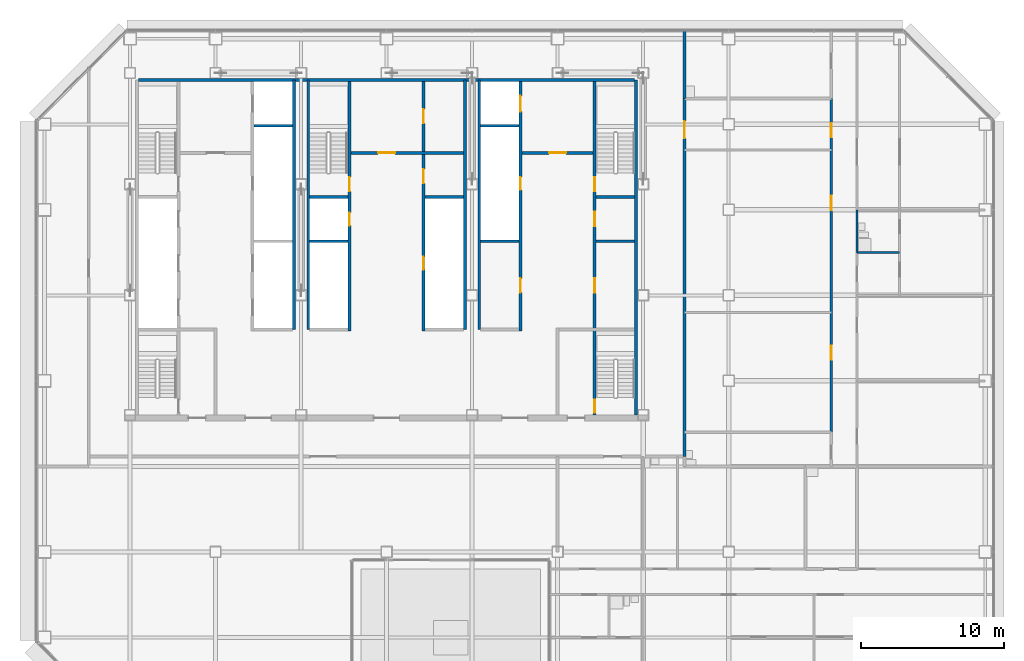
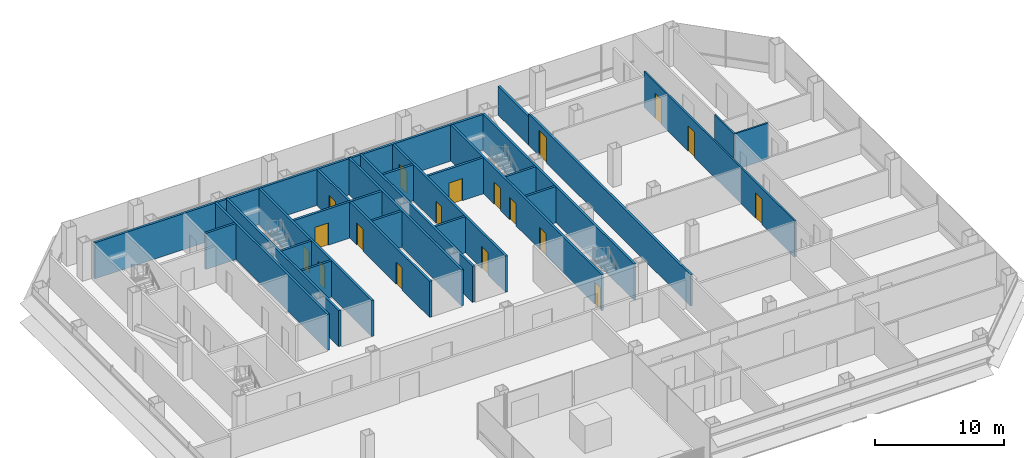
# One storey, part 22 of 27: 25 walls, 18 doors, 18 openings.
"""IFC4 building model written with IfcOpenShell, lengths in metres."""

from ifc_helpers import new_model, si_unit, direction, frame, frame_2d, origin, place, context, subcontext, project, spatial, rectangle, extrude, material, layer, layer_set, type_object, element, fill, save


model = new_model("IFC4")

# Units and contexts
model_context = context("Model", 3, precision=1e-05, world=origin(), true_north=direction((0.0, 1.0)))
body_context = subcontext(model_context, "Body", "Model", "MODEL_VIEW")
ifc_project = project(units=[si_unit("LENGTHUNIT", "METRE"), si_unit("AREAUNIT", "SQUARE_METRE"), si_unit("VOLUMEUNIT", "CUBIC_METRE"), si_unit("PLANEANGLEUNIT", "RADIAN"), si_unit("MASSUNIT", "GRAM", prefix="KILO")], contexts=[model_context])

# Site, building, storey
site_placement = place(None, origin())
site = spatial("IfcSite", under=ifc_project, at=site_placement, CompositionType="ELEMENT")
building_placement = place(site_placement, origin())
building = spatial("IfcBuilding", under=site, at=building_placement, Name="Sorahane Residences", CompositionType="ELEMENT")
storey_placement = place(building_placement, frame((0.0, 0.0, 82.199951171875)))
storey = spatial("IfcBuildingStorey", under=building, at=storey_placement, Name="L17", CompositionType="ELEMENT", Elevation=82.199951171875)

# Walls
ifc_material_1 = material(Name="Concrete C30", Category="concrete")
ifc_layer_1 = layer(ifc_material_1, 0.199951171875)
ifc_layer_set_1 = layer_set([ifc_layer_1], Name="Core face wall 200 EI 180")
wall_type_1 = type_object("IfcWallType", Name="Core face wall 200 EI 180", PredefinedType="SOLIDWALL", material=ifc_layer_set_1)
wall_1_placement = place(storey_placement, frame((41.5, 21.60009765625, 0.0), z_axis=(0.0, 0.0, 1.0), x_axis=(0.0, 1.0, 0.0)))
element("IfcWall", 1, at=wall_1_placement, inside=storey, type_object=wall_type_1, Name="L17 core face wall", PredefinedType="SOLIDWALL", context=body_context, shape_type="SweptSolid", body=[
    extrude(rectangle(XDim=23.5, YDim=0.199951171875, at=frame_2d((11.75, 0.0))), origin(), (0.0, 0.0, 1.0), 3.420166015625),
])
wall_2_placement = place(storey_placement, frame((6.60009765625, 45.10009765625, 0.0), z_axis=(0.0, 0.0, 1.0), x_axis=(1.0, 0.0, 0.0)))
element("IfcWall", 2, at=wall_2_placement, inside=storey, type_object=wall_type_1, Name="L17 core face wall", PredefinedType="SOLIDWALL", context=body_context, shape_type="SweptSolid", body=[
    extrude(rectangle(XDim=34.7998046875, YDim=0.199951171875, at=frame_2d((17.39990234375, 0.0))), origin(), (0.0, 0.0, 1.0), 3.420166015625),
])
for number, where, z_axis, x_axis, name in (
    (3, (17.5, 27.60009765625, 0.0), (0.0, 0.0, 1.0), (0.0, 1.0, 0.0), "L17 core face wall"),
    (4, (18.5, 27.60009765625, 0.0), (0.0, 0.0, 1.0), (0.0, 1.0, 0.0), "L17 core face wall"),
    (5, (29.5, 27.60009765625, 0.0), (0.0, 0.0, 1.0), (0.0, 1.0, 0.0), "L17 core face wall"),
    (6, (30.5, 27.60009765625, 0.0), (0.0, 0.0, 1.0), (0.0, 1.0, 0.0), "L17 core face wall"),
):
    element("IfcWall", number, at=place(storey_placement, frame(where, z_axis=z_axis, x_axis=x_axis)), inside=storey, type_object=wall_type_1, Name=name, PredefinedType="SOLIDWALL", context=body_context, shape_type="SweptSolid", body=[
        extrude(rectangle(XDim=17.5, YDim=0.199951171875, at=frame_2d((8.75, 0.0))), origin(), (0.0, 0.0, 1.0), 3.420166015625),
    ])

# Wall, opening, door
ifc_material_2 = material(Name="Concrete blockwork C20 wall", Category="masonry")
ifc_layer_2 = layer(ifc_material_2, 0.199951171875)
ifc_layer_set_2 = layer_set([ifc_layer_2], Name="Corridor wall 200 EI 120")
wall_type_2 = type_object("IfcWallType", Name="Corridor wall 200 EI 120", PredefinedType="SOLIDWALL", material=ifc_layer_set_2)
wall_3_placement = place(storey_placement, frame((44.89990234375, 18.699951171875, 0.0), z_axis=(0.0, 0.0, 1.0), x_axis=(0.0, 1.0, 0.0)))
wall_3 = element("IfcWall", 7, at=wall_3_placement, inside=storey, type_object=wall_type_2, Name="L17 corridor wall", PredefinedType="SOLIDWALL", context=body_context, shape_type="SweptSolid", body=[
    extrude(rectangle(XDim=25.10009765625, YDim=0.199951171875, at=frame_2d((12.550048828125, 0.0))), origin(), (0.0, 0.0, 1.0), 2.969970703125),
])
opening_1_placement = place(wall_3_placement, frame((22.320068359375, 0.0, 0.0)))
opening_1 = element("IfcOpeningElement", 8, at=opening_1_placement, cuts=wall_3, Name="Opening L17-26", PredefinedType="OPENING", context=body_context, shape_type="SweptSolid", body=[
    extrude(rectangle(XDim=1.199951171875, YDim=2.39990234375, at=frame_2d((0.60009765625, 1.199951171875))), frame((0.0, 0.10986328125, 0.0), z_axis=(0.0, -1.0, 0.0), x_axis=(1.0, 0.0, 0.0)), (0.0, 0.0, 1.0), 0.219970703125),
])
ifc_material_3 = material(Name="Timber veneered fire door", Category="wood")
door_type_1 = type_object("IfcDoorType", Name="Flat entrance door 1200x2400 FD60", OperationType="NOTDEFINED", PredefinedType="DOOR", material=ifc_material_3)
door_1_placement = place(opening_1_placement, frame((1.199951171875, 0.0, 0.0), z_axis=(0.0, 0.0, 1.0), x_axis=(-1.0, 0.0, 0.0)))
door_1 = element("IfcDoor", 9, at=door_1_placement, inside=storey, type_object=door_type_1, Name="Flat entrance door L17-26", OperationType="SINGLE_SWING_RIGHT", OverallHeight=2.39990234375, OverallWidth=1.199951171875, PredefinedType="DOOR", context=body_context, shape_type="SweptSolid", body=[
    extrude(rectangle(XDim=1.199951171875, YDim=2.39990234375, at=frame_2d((0.60009765625, 1.199951171875))), frame((0.0, 0.02490234375, 0.0), z_axis=(0.0, -1.0, 0.0), x_axis=(1.0, 0.0, 0.0)), (0.0, 0.0, 1.0), 0.050048828125),
])
fill(opening_1, door_1)

ifc_material_4 = material(Name="Concrete C30", Category="concrete")
ifc_layer_3 = layer(ifc_material_4, 0.199951171875)
ifc_layer_set_3 = layer_set([ifc_layer_3], Name="Front room wall 200 EI 120")
wall_type_3 = type_object("IfcWallType", Name="Front room wall 200 EI 120", PredefinedType="PARTITIONING", material=ifc_layer_set_3)
wall_4_placement = place(storey_placement, frame((21.5, 40.0, 0.0), z_axis=(0.0, 0.0, 1.0), x_axis=(1.0, 0.0, 0.0)))
wall_4 = element("IfcWall", 10, at=wall_4_placement, inside=storey, type_object=wall_type_3, Name="L17 front room wall", PredefinedType="PARTITIONING", context=body_context, shape_type="SweptSolid", body=[
    extrude(rectangle(XDim=7.89990234375, YDim=0.199951171875, at=frame_2d((3.949951171875, 0.0))), origin(), (0.0, 0.0, 1.0), 3.420166015625),
])
opening_2_placement = place(wall_4_placement, frame((1.89990234375, 0.0, 0.0)))
opening_2 = element("IfcOpeningElement", 11, at=opening_2_placement, cuts=wall_4, Name="Opening L17-C07", PredefinedType="OPENING", context=body_context, shape_type="SweptSolid", body=[
    extrude(rectangle(XDim=1.199951171875, YDim=2.10009765625, at=frame_2d((0.60009765625, 1.050048828125))), frame((0.0, 0.10986328125, 0.0), z_axis=(0.0, -1.0, 0.0), x_axis=(1.0, 0.0, 0.0)), (0.0, 0.0, 1.0), 0.219970703125),
])
ifc_material_5 = material(Name="Steel", Category="steel")
door_type_2 = type_object("IfcDoorType", Name="Front room door 1200x2100 FD120", OperationType="NOTDEFINED", PredefinedType="DOOR", material=ifc_material_5)
door_2_placement = place(opening_2_placement, frame((1.199951171875, 0.0, 0.0), z_axis=(0.0, 0.0, 1.0), x_axis=(-1.0, 0.0, 0.0)))
door_2 = element("IfcDoor", 12, at=door_2_placement, inside=storey, type_object=door_type_2, Name="Front room door Stair S3 vestibule L17", OperationType="DOUBLE_DOOR_SINGLE_SWING", OverallHeight=2.10009765625, OverallWidth=1.199951171875, PredefinedType="DOOR", context=body_context, shape_type="SweptSolid", body=[
    extrude(rectangle(XDim=1.199951171875, YDim=2.10009765625, at=frame_2d((0.60009765625, 1.050048828125))), frame((0.0, 0.02490234375, 0.0), z_axis=(0.0, -1.0, 0.0), x_axis=(1.0, 0.0, 0.0)), (0.0, 0.0, 1.0), 0.050048828125),
])
fill(opening_2, door_2)

wall_5_placement = place(storey_placement, frame((33.5, 40.0, 0.0), z_axis=(0.0, 0.0, 1.0), x_axis=(1.0, 0.0, 0.0)))
wall_5 = element("IfcWall", 13, at=wall_5_placement, inside=storey, type_object=wall_type_3, Name="L17 front room wall", PredefinedType="PARTITIONING", context=body_context, shape_type="SweptSolid", body=[
    extrude(rectangle(XDim=5.0, YDim=0.199951171875, at=frame_2d((2.5, 0.0))), origin(), (0.0, 0.0, 1.0), 3.420166015625),
])
opening_3_placement = place(wall_5_placement, frame((1.89990234375, 0.0, 0.0)))
opening_3 = element("IfcOpeningElement", 14, at=opening_3_placement, cuts=wall_5, Name="Opening L17-C08", PredefinedType="OPENING", context=body_context, shape_type="SweptSolid", body=[
    extrude(rectangle(XDim=1.199951171875, YDim=2.10009765625, at=frame_2d((0.60009765625, 1.050048828125))), frame((0.0, 0.10986328125, 0.0), z_axis=(0.0, -1.0, 0.0), x_axis=(1.0, 0.0, 0.0)), (0.0, 0.0, 1.0), 0.219970703125),
])
door_3_placement = place(opening_3_placement, frame((1.199951171875, 0.0, 0.0), z_axis=(0.0, 0.0, 1.0), x_axis=(-1.0, 0.0, 0.0)))
door_3 = element("IfcDoor", 15, at=door_3_placement, inside=storey, type_object=door_type_2, Name="Front room door Firefighting lobby FF2 front room L17", OperationType="DOUBLE_DOOR_SINGLE_SWING", OverallHeight=2.10009765625, OverallWidth=1.199951171875, PredefinedType="DOOR", context=body_context, shape_type="SweptSolid", body=[
    extrude(rectangle(XDim=1.199951171875, YDim=2.10009765625, at=frame_2d((0.60009765625, 1.050048828125))), frame((0.0, 0.02490234375, 0.0), z_axis=(0.0, -1.0, 0.0), x_axis=(1.0, 0.0, 0.0)), (0.0, 0.0, 1.0), 0.050048828125),
])
fill(opening_3, door_3)

# Wall
ifc_material_6 = material(Name="Concrete blockwork C20 wall", Category="masonry")
ifc_layer_4 = layer(ifc_material_6, 0.199951171875)
ifc_layer_set_4 = layer_set([ifc_layer_4], Name="Kitchen wall 200 EI 180")
wall_type_4 = type_object("IfcWallType", Name="Kitchen wall 200 EI 180", PredefinedType="SOLIDWALL", material=ifc_layer_set_4)
wall_6_placement = place(storey_placement, frame((44.89990234375, 43.800048828125, 0.0), z_axis=(0.0, 0.0, 1.0), x_axis=(0.0, 1.0, 0.0)))
element("IfcWall", 16, at=wall_6_placement, inside=storey, type_object=wall_type_4, Name="L17 kitchen wall", PredefinedType="SOLIDWALL", context=body_context, shape_type="SweptSolid", body=[
    extrude(rectangle(XDim=4.800048828125, YDim=0.199951171875, at=frame_2d((2.39990234375, 0.0))), origin(), (0.0, 0.0, 1.0), 2.719970703125),
])

# Wall, openings, doors
ifc_material_7 = material(Name="Concrete C30", Category="concrete")
ifc_layer_5 = layer(ifc_material_7, 0.199951171875)
ifc_layer_set_5 = layer_set([ifc_layer_5], Name="Lift shaft wall 200 EI 120")
wall_type_5 = type_object("IfcWallType", Name="Lift shaft wall 200 EI 120", PredefinedType="SOLIDWALL", material=ifc_layer_set_5)
wall_7_placement = place(storey_placement, frame((33.39990234375, 27.5, 0.0), z_axis=(0.0, 0.0, 1.0), x_axis=(0.0, 1.0, 0.0)))
wall_7 = element("IfcWall", 17, at=wall_7_placement, inside=storey, type_object=wall_type_5, Name="L17 lift shaft wall", PredefinedType="SOLIDWALL", context=body_context, shape_type="SweptSolid", body=[
    extrude(rectangle(XDim=17.5, YDim=0.199951171875, at=frame_2d((8.75, 0.0))), origin(), (0.0, 0.0, 1.0), 3.420166015625),
])
opening_4_placement = place(wall_7_placement, frame((15.39990234375, 0.0, 0.0)))
opening_4 = element("IfcOpeningElement", 18, at=opening_4_placement, cuts=wall_7, Name="Opening L17-C09", PredefinedType="OPENING", context=body_context, shape_type="SweptSolid", body=[
    extrude(rectangle(XDim=1.10009765625, YDim=2.10009765625, at=frame_2d((0.550048828125, 1.050048828125))), frame((0.0, 0.10986328125, 0.0), z_axis=(0.0, -1.0, 0.0), x_axis=(1.0, 0.0, 0.0)), (0.0, 0.0, 1.0), 0.219970703125),
])
opening_5_placement = place(wall_7_placement, frame((2.699951171875, 0.0, 0.0)))
opening_5 = element("IfcOpeningElement", 19, at=opening_5_placement, cuts=wall_7, Name="Opening L17-C18", PredefinedType="OPENING", context=body_context, shape_type="SweptSolid", body=[
    extrude(rectangle(XDim=1.0, YDim=2.10009765625, at=frame_2d((0.5, 1.050048828125))), frame((0.0, 0.10986328125, 0.0), z_axis=(0.0, -1.0, 0.0), x_axis=(1.0, 0.0, 0.0)), (0.0, 0.0, 1.0), 0.219970703125),
])
opening_6_placement = place(wall_7_placement, frame((9.89990234375, 0.0, 0.0)))
opening_6 = element("IfcOpeningElement", 20, at=opening_6_placement, cuts=wall_7, Name="Opening L17-C25", PredefinedType="OPENING", context=body_context, shape_type="SweptSolid", body=[
    extrude(rectangle(XDim=0.89990234375, YDim=2.10009765625, at=frame_2d((0.449951171875, 1.050048828125))), frame((0.0, 0.10986328125, 0.0), z_axis=(0.0, -1.0, 0.0), x_axis=(1.0, 0.0, 0.0)), (0.0, 0.0, 1.0), 0.219970703125),
])
ifc_material_8 = material(Name="Aluminium and stainless steel", Category="steel")
door_type_3 = type_object("IfcDoorType", Name="Lift landing door 1100x2100 E 60", OperationType="NOTDEFINED", PredefinedType="DOOR", material=ifc_material_8)
door_4_placement = place(opening_4_placement, origin())
door_4 = element("IfcDoor", 21, at=door_4_placement, inside=storey, type_object=door_type_3, Name="Lift landing door FF2 L17", OperationType="DOUBLE_DOOR_SLIDING", OverallHeight=2.10009765625, OverallWidth=1.10009765625, PredefinedType="DOOR", context=body_context, shape_type="SweptSolid", body=[
    extrude(rectangle(XDim=1.10009765625, YDim=2.10009765625, at=frame_2d((0.550048828125, 1.050048828125))), frame((0.0, 0.02490234375, 0.0), z_axis=(0.0, -1.0, 0.0), x_axis=(1.0, 0.0, 0.0)), (0.0, 0.0, 1.0), 0.050048828125),
])
fill(opening_4, door_4)
ifc_material_9 = material(Name="Steel", Category="steel")
door_type_4 = type_object("IfcDoorType", Name="Riser door 900x2100 FD120", OperationType="NOTDEFINED", PredefinedType="DOOR", material=ifc_material_9)
door_5_placement = place(opening_6_placement, frame((0.89990234375, 0.0, 0.0), z_axis=(0.0, 0.0, 1.0), x_axis=(-1.0, 0.0, 0.0)))
door_5 = element("IfcDoor", 22, at=door_5_placement, inside=storey, type_object=door_type_4, Name="Riser door R2 L17", OperationType="SINGLE_SWING_LEFT", OverallHeight=2.10009765625, OverallWidth=0.89990234375, PredefinedType="DOOR", context=body_context, shape_type="SweptSolid", body=[
    extrude(rectangle(XDim=0.89990234375, YDim=2.10009765625, at=frame_2d((0.449951171875, 1.050048828125))), frame((0.0, 0.02490234375, 0.0), z_axis=(0.0, -1.0, 0.0), x_axis=(1.0, 0.0, 0.0)), (0.0, 0.0, 1.0), 0.050048828125),
])
fill(opening_6, door_5)
ifc_material_10 = material(Name="Steel", Category="steel")
door_type_5 = type_object("IfcDoorType", Name="Service room door 1000x2100 FD60", OperationType="NOTDEFINED", PredefinedType="DOOR", material=ifc_material_10)
door_6_placement = place(opening_5_placement, origin())
door_6 = element("IfcDoor", 23, at=door_6_placement, inside=storey, type_object=door_type_5, Name="Service room door Tea room L17", OperationType="SINGLE_SWING_RIGHT", OverallHeight=2.10009765625, OverallWidth=1.0, PredefinedType="DOOR", context=body_context, shape_type="SweptSolid", body=[
    extrude(rectangle(XDim=1.0, YDim=2.10009765625, at=frame_2d((0.5, 1.050048828125))), frame((0.0, 0.02490234375, 0.0), z_axis=(0.0, -1.0, 0.0), x_axis=(1.0, 0.0, 0.0)), (0.0, 0.0, 1.0), 0.050048828125),
])
fill(opening_5, door_6)

# Walls
for number, where, z_axis, x_axis, name in (
    (24, (18.60009765625, 33.800048828125, 0.0), (0.0, 0.0, 1.0), (1.0, 0.0, 0.0), "L17 lift shaft wall"),
    (25, (14.699951171875, 41.89990234375, 0.0), (0.0, 0.0, 1.0), (1.0, 0.0, 0.0), "L17 lift shaft wall"),
    (26, (30.60009765625, 41.89990234375, 0.0), (0.0, 0.0, 1.0), (1.0, 0.0, 0.0), "L17 lift shaft wall"),
):
    element("IfcWall", number, at=place(storey_placement, frame(where, z_axis=z_axis, x_axis=x_axis)), inside=storey, type_object=wall_type_5, Name=name, PredefinedType="SOLIDWALL", context=body_context, shape_type="SweptSolid", body=[
        extrude(rectangle(XDim=2.699951171875, YDim=0.199951171875, at=frame_2d((1.35009765625, 0.0))), origin(), (0.0, 0.0, 1.0), 3.420166015625),
    ])

# Wall, openings, doors
ifc_material_11 = material(Name="Gypsum board partition on steel studs", Category="steel")
ifc_layer_6 = layer(ifc_material_11, 0.14990234375)
ifc_layer_set_6 = layer_set([ifc_layer_6], Name="Partition 150 EI 90")
wall_type_6 = type_object("IfcWallType", Name="Partition 150 EI 90", PredefinedType="PARTITIONING", material=ifc_layer_set_6)
wall_8_placement = place(storey_placement, frame((55.199951171875, 20.39990234375, 0.0), z_axis=(0.0, 0.0, 1.0), x_axis=(0.0, 1.0, 0.0)))
wall_8 = element("IfcWall", 27, at=wall_8_placement, inside=storey, type_object=wall_type_6, Name="L17 partition", PredefinedType="PARTITIONING", context=body_context, shape_type="SweptSolid", body=[
    extrude(rectangle(XDim=23.400146484375, YDim=0.14990234375, at=frame_2d((11.7001953125, 0.0))), origin(), (0.0, 0.0, 1.0), 3.420166015625),
])
opening_7_placement = place(wall_8_placement, frame((20.679931640625, 0.0, 0.0)))
opening_7 = element("IfcOpeningElement", 28, at=opening_7_placement, cuts=wall_8, Name="Opening L17-13", PredefinedType="OPENING", context=body_context, shape_type="SweptSolid", body=[
    extrude(rectangle(XDim=1.0, YDim=2.39990234375, at=frame_2d((0.5, 1.199951171875))), frame((0.0, 0.0849609375, 0.0), z_axis=(0.0, -1.0, 0.0), x_axis=(1.0, 0.0, 0.0)), (0.0, 0.0, 1.0), 0.169921875),
])
opening_8_placement = place(wall_8_placement, frame((5.080078125, 0.0, 0.0)))
opening_8 = element("IfcOpeningElement", 29, at=opening_8_placement, cuts=wall_8, Name="Opening L17-15", PredefinedType="OPENING", context=body_context, shape_type="SweptSolid", body=[
    extrude(rectangle(XDim=1.0, YDim=2.39990234375, at=frame_2d((0.5, 1.199951171875))), frame((0.0, 0.0849609375, 0.0), z_axis=(0.0, -1.0, 0.0), x_axis=(1.0, 0.0, 0.0)), (0.0, 0.0, 1.0), 0.169921875),
])
opening_9_placement = place(wall_8_placement, frame((15.580078125, 0.0, 0.0)))
opening_9 = element("IfcOpeningElement", 30, at=opening_9_placement, cuts=wall_8, Name="Opening L17-16", PredefinedType="OPENING", context=body_context, shape_type="SweptSolid", body=[
    extrude(rectangle(XDim=1.0, YDim=2.39990234375, at=frame_2d((0.5, 1.199951171875))), frame((0.0, 0.0849609375, 0.0), z_axis=(0.0, -1.0, 0.0), x_axis=(1.0, 0.0, 0.0)), (0.0, 0.0, 1.0), 0.169921875),
])
ifc_material_12 = material(Name="Timber veneered fire door", Category="wood")
door_type_6 = type_object("IfcDoorType", Name="Room door 1000x2400 FD30", OperationType="NOTDEFINED", PredefinedType="DOOR", material=ifc_material_12)
door_7_placement = place(opening_7_placement, frame((1.0, 0.0, 0.0), z_axis=(0.0, 0.0, 1.0), x_axis=(-1.0, 0.0, 0.0)))
door_7 = element("IfcDoor", 31, at=door_7_placement, inside=storey, type_object=door_type_6, Name="Room door L17-13", OperationType="SINGLE_SWING_RIGHT", OverallHeight=2.39990234375, OverallWidth=1.0, PredefinedType="DOOR", context=body_context, shape_type="SweptSolid", body=[
    extrude(rectangle(XDim=1.0, YDim=2.39990234375, at=frame_2d((0.5, 1.199951171875))), frame((0.0, 0.02490234375, 0.0), z_axis=(0.0, -1.0, 0.0), x_axis=(1.0, 0.0, 0.0)), (0.0, 0.0, 1.0), 0.050048828125),
])
fill(opening_7, door_7)
door_8_placement = place(opening_8_placement, origin())
door_8 = element("IfcDoor", 32, at=door_8_placement, inside=storey, type_object=door_type_6, Name="Room door L17-15", OperationType="SINGLE_SWING_LEFT", OverallHeight=2.39990234375, OverallWidth=1.0, PredefinedType="DOOR", context=body_context, shape_type="SweptSolid", body=[
    extrude(rectangle(XDim=1.0, YDim=2.39990234375, at=frame_2d((0.5, 1.199951171875))), frame((0.0, 0.02490234375, 0.0), z_axis=(0.0, -1.0, 0.0), x_axis=(1.0, 0.0, 0.0)), (0.0, 0.0, 1.0), 0.050048828125),
])
fill(opening_8, door_8)
door_9_placement = place(opening_9_placement, origin())
door_9 = element("IfcDoor", 33, at=door_9_placement, inside=storey, type_object=door_type_6, Name="Room door L17-16", OperationType="SINGLE_SWING_LEFT", OverallHeight=2.39990234375, OverallWidth=1.0, PredefinedType="DOOR", context=body_context, shape_type="SweptSolid", body=[
    extrude(rectangle(XDim=1.0, YDim=2.39990234375, at=frame_2d((0.5, 1.199951171875))), frame((0.0, 0.02490234375, 0.0), z_axis=(0.0, -1.0, 0.0), x_axis=(1.0, 0.0, 0.0)), (0.0, 0.0, 1.0), 0.050048828125),
])
fill(opening_9, door_9)

ifc_material_13 = material(Name="Concrete C30", Category="concrete")
ifc_layer_7 = layer(ifc_material_13, 0.199951171875)
ifc_layer_set_7 = layer_set([ifc_layer_7], Name="Riser shaft wall 200 EI 120")
wall_type_7 = type_object("IfcWallType", Name="Riser shaft wall 200 EI 120", PredefinedType="SOLIDWALL", material=ifc_layer_set_7)
wall_9_placement = place(storey_placement, frame((26.60009765625, 27.5, 0.0), z_axis=(0.0, 0.0, 1.0), x_axis=(0.0, 1.0, 0.0)))
wall_9 = element("IfcWall", 34, at=wall_9_placement, inside=storey, type_object=wall_type_7, Name="L17 riser wall", PredefinedType="SOLIDWALL", context=body_context, shape_type="SweptSolid", body=[
    extrude(rectangle(XDim=17.5, YDim=0.199951171875, at=frame_2d((8.75, 0.0))), origin(), (0.0, 0.0, 1.0), 3.420166015625),
])
opening_10_placement = place(wall_9_placement, frame((4.300048828125, 0.0, 0.0)))
opening_10 = element("IfcOpeningElement", 35, at=opening_10_placement, cuts=wall_9, Name="Opening L17-C27", PredefinedType="OPENING", context=body_context, shape_type="SweptSolid", body=[
    extrude(rectangle(XDim=0.89990234375, YDim=2.10009765625, at=frame_2d((0.449951171875, 1.050048828125))), frame((0.0, 0.10986328125, 0.0), z_axis=(0.0, -1.0, 0.0), x_axis=(1.0, 0.0, 0.0)), (0.0, 0.0, 1.0), 0.219970703125),
])
opening_11_placement = place(wall_9_placement, frame((10.35009765625, 0.0, 0.0)))
opening_11 = element("IfcOpeningElement", 36, at=opening_11_placement, cuts=wall_9, Name="Opening L17-C28", PredefinedType="OPENING", context=body_context, shape_type="SweptSolid", body=[
    extrude(rectangle(XDim=1.0, YDim=2.10009765625, at=frame_2d((0.5, 1.050048828125))), frame((0.0, 0.10986328125, 0.0), z_axis=(0.0, -1.0, 0.0), x_axis=(1.0, 0.0, 0.0)), (0.0, 0.0, 1.0), 0.219970703125),
])
opening_12_placement = place(wall_9_placement, frame((14.574951171875, 0.0, 0.0)))
opening_12 = element("IfcOpeningElement", 37, at=opening_12_placement, cuts=wall_9, Name="Opening L17-C29", PredefinedType="OPENING", context=body_context, shape_type="SweptSolid", body=[
    extrude(rectangle(XDim=1.0, YDim=2.10009765625, at=frame_2d((0.5, 1.050048828125))), frame((0.0, 0.10986328125, 0.0), z_axis=(0.0, -1.0, 0.0), x_axis=(1.0, 0.0, 0.0)), (0.0, 0.0, 1.0), 0.219970703125),
])
door_10_placement = place(opening_10_placement, origin())
door_10 = element("IfcDoor", 38, at=door_10_placement, inside=storey, type_object=door_type_4, Name="Riser door R4 L17", OperationType="SINGLE_SWING_LEFT", OverallHeight=2.10009765625, OverallWidth=0.89990234375, PredefinedType="DOOR", context=body_context, shape_type="SweptSolid", body=[
    extrude(rectangle(XDim=0.89990234375, YDim=2.10009765625, at=frame_2d((0.449951171875, 1.050048828125))), frame((0.0, 0.02490234375, 0.0), z_axis=(0.0, -1.0, 0.0), x_axis=(1.0, 0.0, 0.0)), (0.0, 0.0, 1.0), 0.050048828125),
])
fill(opening_10, door_10)
door_11_placement = place(opening_11_placement, frame((1.0, 0.0, 0.0), z_axis=(0.0, 0.0, 1.0), x_axis=(-1.0, 0.0, 0.0)))
door_11 = element("IfcDoor", 39, at=door_11_placement, inside=storey, type_object=door_type_5, Name="Service room door Linen room L17", OperationType="SINGLE_SWING_LEFT", OverallHeight=2.10009765625, OverallWidth=1.0, PredefinedType="DOOR", context=body_context, shape_type="SweptSolid", body=[
    extrude(rectangle(XDim=1.0, YDim=2.10009765625, at=frame_2d((0.5, 1.050048828125))), frame((0.0, 0.02490234375, 0.0), z_axis=(0.0, -1.0, 0.0), x_axis=(1.0, 0.0, 0.0)), (0.0, 0.0, 1.0), 0.050048828125),
])
fill(opening_11, door_11)
door_12_placement = place(opening_12_placement, frame((1.0, 0.0, 0.0), z_axis=(0.0, 0.0, 1.0), x_axis=(-1.0, 0.0, 0.0)))
door_12 = element("IfcDoor", 40, at=door_12_placement, inside=storey, type_object=door_type_5, Name="Service room door Cleaners' store L17", OperationType="SINGLE_SWING_LEFT", OverallHeight=2.10009765625, OverallWidth=1.0, PredefinedType="DOOR", context=body_context, shape_type="SweptSolid", body=[
    extrude(rectangle(XDim=1.0, YDim=2.10009765625, at=frame_2d((0.5, 1.050048828125))), frame((0.0, 0.02490234375, 0.0), z_axis=(0.0, -1.0, 0.0), x_axis=(1.0, 0.0, 0.0)), (0.0, 0.0, 1.0), 0.050048828125),
])
fill(opening_12, door_12)

# Walls
for number, where, z_axis, x_axis, name in (
    (41, (30.60009765625, 33.800048828125, 0.0), (0.0, 0.0, 1.0), (1.0, 0.0, 0.0), "L17 riser wall"),
    (42, (26.699951171875, 36.89990234375, 0.0), (0.0, 0.0, 1.0), (1.0, 0.0, 0.0), "L17 riser wall"),
):
    element("IfcWall", number, at=place(storey_placement, frame(where, z_axis=z_axis, x_axis=x_axis)), inside=storey, type_object=wall_type_7, Name=name, PredefinedType="SOLIDWALL", context=body_context, shape_type="SweptSolid", body=[
        extrude(rectangle(XDim=2.699951171875, YDim=0.199951171875, at=frame_2d((1.35009765625, 0.0))), origin(), (0.0, 0.0, 1.0), 3.420166015625),
    ])
ifc_material_14 = material(Name="Concrete C30", Category="concrete")
ifc_layer_8 = layer(ifc_material_14, 0.199951171875)
ifc_layer_set_8 = layer_set([ifc_layer_8], Name="Service room partition 200 EI 60")
wall_type_8 = type_object("IfcWallType", Name="Service room partition 200 EI 60", PredefinedType="PARTITIONING", material=ifc_layer_set_8)
wall_10_placement = place(storey_placement, frame((38.699951171875, 33.800048828125, 0.0), z_axis=(0.0, 0.0, 1.0), x_axis=(1.0, 0.0, 0.0)))
element("IfcWall", 43, at=wall_10_placement, inside=storey, type_object=wall_type_8, Name="L17 service room wall", PredefinedType="PARTITIONING", context=body_context, shape_type="SweptSolid", body=[
    extrude(rectangle(XDim=2.699951171875, YDim=0.199951171875, at=frame_2d((1.35009765625, 0.0))), origin(), (0.0, 0.0, 1.0), 3.420166015625),
])

# Wall, openings, doors
ifc_material_15 = material(Name="Concrete C30", Category="concrete")
ifc_layer_9 = layer(ifc_material_15, 0.199951171875)
ifc_layer_set_9 = layer_set([ifc_layer_9], Name="Stair enclosure wall 200 EI 120")
wall_type_9 = type_object("IfcWallType", Name="Stair enclosure wall 200 EI 120", PredefinedType="SOLIDWALL", material=ifc_layer_set_9)
wall_11_placement = place(storey_placement, frame((21.39990234375, 27.5, 0.0), z_axis=(0.0, 0.0, 1.0), x_axis=(0.0, 1.0, 0.0)))
wall_11 = element("IfcWall", 44, at=wall_11_placement, inside=storey, type_object=wall_type_9, Name="L17 stair enclosure wall", PredefinedType="SOLIDWALL", context=body_context, shape_type="SweptSolid", body=[
    extrude(rectangle(XDim=17.5, YDim=0.199951171875, at=frame_2d((8.75, 0.0))), origin(), (0.0, 0.0, 1.0), 3.420166015625),
])
opening_13_placement = place(wall_11_placement, frame((9.800048828125, 0.0, 0.0)))
opening_13 = element("IfcOpeningElement", 45, at=opening_13_placement, cuts=wall_11, Name="Opening L17-C21", PredefinedType="OPENING", context=body_context, shape_type="SweptSolid", body=[
    extrude(rectangle(XDim=1.0, YDim=2.10009765625, at=frame_2d((0.5, 1.050048828125))), frame((0.0, 0.10986328125, 0.0), z_axis=(0.0, -1.0, 0.0), x_axis=(1.0, 0.0, 0.0)), (0.0, 0.0, 1.0), 0.219970703125),
])
opening_14_placement = place(wall_11_placement, frame((7.39990234375, 0.0, 0.0)))
opening_14 = element("IfcOpeningElement", 46, at=opening_14_placement, cuts=wall_11, Name="Opening L17-C26", PredefinedType="OPENING", context=body_context, shape_type="SweptSolid", body=[
    extrude(rectangle(XDim=0.89990234375, YDim=2.10009765625, at=frame_2d((0.449951171875, 1.050048828125))), frame((0.0, 0.10986328125, 0.0), z_axis=(0.0, -1.0, 0.0), x_axis=(1.0, 0.0, 0.0)), (0.0, 0.0, 1.0), 0.219970703125),
])
door_13_placement = place(opening_14_placement, frame((0.89990234375, 0.0, 0.0), z_axis=(0.0, 0.0, 1.0), x_axis=(-1.0, 0.0, 0.0)))
door_13 = element("IfcDoor", 47, at=door_13_placement, inside=storey, type_object=door_type_4, Name="Riser door R3 L17", OperationType="SINGLE_SWING_LEFT", OverallHeight=2.10009765625, OverallWidth=0.89990234375, PredefinedType="DOOR", context=body_context, shape_type="SweptSolid", body=[
    extrude(rectangle(XDim=0.89990234375, YDim=2.10009765625, at=frame_2d((0.449951171875, 1.050048828125))), frame((0.0, 0.02490234375, 0.0), z_axis=(0.0, -1.0, 0.0), x_axis=(1.0, 0.0, 0.0)), (0.0, 0.0, 1.0), 0.050048828125),
])
fill(opening_14, door_13)
ifc_material_16 = material(Name="Steel", Category="steel")
door_type_7 = type_object("IfcDoorType", Name="Stair door 1000x2100 FD120", OperationType="NOTDEFINED", PredefinedType="DOOR", material=ifc_material_16)
door_14_placement = place(opening_13_placement, origin())
door_14 = element("IfcDoor", 48, at=door_14_placement, inside=storey, type_object=door_type_7, Name="Stair door S3 L17", OperationType="SINGLE_SWING_LEFT", OverallHeight=2.10009765625, OverallWidth=1.0, PredefinedType="DOOR", context=body_context, shape_type="SweptSolid", body=[
    extrude(rectangle(XDim=1.0, YDim=2.10009765625, at=frame_2d((0.5, 1.050048828125))), frame((0.0, 0.02490234375, 0.0), z_axis=(0.0, -1.0, 0.0), x_axis=(1.0, 0.0, 0.0)), (0.0, 0.0, 1.0), 0.050048828125),
])
fill(opening_13, door_14)

wall_12_placement = place(storey_placement, frame((38.60009765625, 21.60009765625, 0.0), z_axis=(0.0, 0.0, 1.0), x_axis=(0.0, 1.0, 0.0)))
wall_12 = element("IfcWall", 49, at=wall_12_placement, inside=storey, type_object=wall_type_9, Name="L17 stair enclosure wall", PredefinedType="SOLIDWALL", context=body_context, shape_type="SweptSolid", body=[
    extrude(rectangle(XDim=23.39990234375, YDim=0.199951171875, at=frame_2d((11.699951171875, 0.0))), origin(), (0.0, 0.0, 1.0), 3.420166015625),
])
opening_15_placement = place(wall_12_placement, frame((8.60009765625, 0.0, 0.0)))
opening_15 = element("IfcOpeningElement", 50, at=opening_15_placement, cuts=wall_12, Name="Opening L17-C16", PredefinedType="OPENING", context=body_context, shape_type="SweptSolid", body=[
    extrude(rectangle(XDim=1.0, YDim=2.10009765625, at=frame_2d((0.5, 1.050048828125))), frame((0.0, 0.10986328125, 0.0), z_axis=(0.0, -1.0, 0.0), x_axis=(1.0, 0.0, 0.0)), (0.0, 0.0, 1.0), 0.219970703125),
])
opening_16_placement = place(wall_12_placement, frame((13.25, 0.0, 0.0)))
opening_16 = element("IfcOpeningElement", 51, at=opening_16_placement, cuts=wall_12, Name="Opening L17-C17", PredefinedType="OPENING", context=body_context, shape_type="SweptSolid", body=[
    extrude(rectangle(XDim=1.0, YDim=2.10009765625, at=frame_2d((0.5, 1.050048828125))), frame((0.0, 0.10986328125, 0.0), z_axis=(0.0, -1.0, 0.0), x_axis=(1.0, 0.0, 0.0)), (0.0, 0.0, 1.0), 0.219970703125),
])
opening_17_placement = place(wall_12_placement, frame((15.699951171875, 0.0, 0.0)))
opening_17 = element("IfcOpeningElement", 52, at=opening_17_placement, cuts=wall_12, Name="Opening L17-C20", PredefinedType="OPENING", context=body_context, shape_type="SweptSolid", body=[
    extrude(rectangle(XDim=1.0, YDim=2.10009765625, at=frame_2d((0.5, 1.050048828125))), frame((0.0, 0.10986328125, 0.0), z_axis=(0.0, -1.0, 0.0), x_axis=(1.0, 0.0, 0.0)), (0.0, 0.0, 1.0), 0.219970703125),
])
opening_18_placement = place(wall_12_placement, frame((0.175048828125, 0.0, 0.0)))
opening_18 = element("IfcOpeningElement", 53, at=opening_18_placement, cuts=wall_12, Name="Opening L17-C23", PredefinedType="OPENING", context=body_context, shape_type="SweptSolid", body=[
    extrude(rectangle(XDim=0.89990234375, YDim=2.10009765625, at=frame_2d((0.449951171875, 1.050048828125))), frame((0.0, 0.10986328125, 0.0), z_axis=(0.0, -1.0, 0.0), x_axis=(1.0, 0.0, 0.0)), (0.0, 0.0, 1.0), 0.219970703125),
])
door_15_placement = place(opening_15_placement, frame((1.0, 0.0, 0.0), z_axis=(0.0, 0.0, 1.0), x_axis=(-1.0, 0.0, 0.0)))
door_15 = element("IfcDoor", 54, at=door_15_placement, inside=storey, type_object=door_type_5, Name="Service room door Tea room L17", OperationType="SINGLE_SWING_RIGHT", OverallHeight=2.10009765625, OverallWidth=1.0, PredefinedType="DOOR", context=body_context, shape_type="SweptSolid", body=[
    extrude(rectangle(XDim=1.0, YDim=2.10009765625, at=frame_2d((0.5, 1.050048828125))), frame((0.0, 0.02490234375, 0.0), z_axis=(0.0, -1.0, 0.0), x_axis=(1.0, 0.0, 0.0)), (0.0, 0.0, 1.0), 0.050048828125),
])
fill(opening_15, door_15)
door_16_placement = place(opening_16_placement, frame((1.0, 0.0, 0.0), z_axis=(0.0, 0.0, 1.0), x_axis=(-1.0, 0.0, 0.0)))
door_16 = element("IfcDoor", 55, at=door_16_placement, inside=storey, type_object=door_type_5, Name="Service room door Tea room L17", OperationType="SINGLE_SWING_LEFT", OverallHeight=2.10009765625, OverallWidth=1.0, PredefinedType="DOOR", context=body_context, shape_type="SweptSolid", body=[
    extrude(rectangle(XDim=1.0, YDim=2.10009765625, at=frame_2d((0.5, 1.050048828125))), frame((0.0, 0.02490234375, 0.0), z_axis=(0.0, -1.0, 0.0), x_axis=(1.0, 0.0, 0.0)), (0.0, 0.0, 1.0), 0.050048828125),
])
fill(opening_16, door_16)
door_17_placement = place(opening_17_placement, frame((1.0, 0.0, 0.0), z_axis=(0.0, 0.0, 1.0), x_axis=(-1.0, 0.0, 0.0)))
door_17 = element("IfcDoor", 56, at=door_17_placement, inside=storey, type_object=door_type_7, Name="Stair door S2 L17", OperationType="SINGLE_SWING_LEFT", OverallHeight=2.10009765625, OverallWidth=1.0, PredefinedType="DOOR", context=body_context, shape_type="SweptSolid", body=[
    extrude(rectangle(XDim=1.0, YDim=2.10009765625, at=frame_2d((0.5, 1.050048828125))), frame((0.0, 0.02490234375, 0.0), z_axis=(0.0, -1.0, 0.0), x_axis=(1.0, 0.0, 0.0)), (0.0, 0.0, 1.0), 0.050048828125),
])
fill(opening_17, door_17)
ifc_material_17 = material(Name="Steel", Category="steel")
door_type_8 = type_object("IfcDoorType", Name="Stair door 900x2100 FD120", OperationType="NOTDEFINED", PredefinedType="DOOR", material=ifc_material_17)
door_18_placement = place(opening_18_placement, frame((0.89990234375, 0.0, 0.0), z_axis=(0.0, 0.0, 1.0), x_axis=(-1.0, 0.0, 0.0)))
door_18 = element("IfcDoor", 57, at=door_18_placement, inside=storey, type_object=door_type_8, Name="Stair door S5 L17", OperationType="SINGLE_SWING_LEFT", OverallHeight=2.10009765625, OverallWidth=0.89990234375, PredefinedType="DOOR", context=body_context, shape_type="SweptSolid", body=[
    extrude(rectangle(XDim=0.89990234375, YDim=2.10009765625, at=frame_2d((0.449951171875, 1.050048828125))), frame((0.0, 0.02490234375, 0.0), z_axis=(0.0, -1.0, 0.0), x_axis=(1.0, 0.0, 0.0)), (0.0, 0.0, 1.0), 0.050048828125),
])
fill(opening_18, door_18)

# Walls
for number, where, z_axis, x_axis, name in (
    (58, (18.60009765625, 36.89990234375, 0.0), (0.0, 0.0, 1.0), (1.0, 0.0, 0.0), "L17 stair enclosure wall"),
    (59, (38.699951171875, 36.89990234375, 0.0), (0.0, 0.0, 1.0), (1.0, 0.0, 0.0), "L17 stair enclosure wall"),
):
    element("IfcWall", number, at=place(storey_placement, frame(where, z_axis=z_axis, x_axis=x_axis)), inside=storey, type_object=wall_type_9, Name=name, PredefinedType="SOLIDWALL", context=body_context, shape_type="SweptSolid", body=[
        extrude(rectangle(XDim=2.699951171875, YDim=0.199951171875, at=frame_2d((1.35009765625, 0.0))), origin(), (0.0, 0.0, 1.0), 3.420166015625),
    ])
ifc_material_18 = material(Name="Gypsum board partition on steel studs", Category="steel")
ifc_layer_10 = layer(ifc_material_18, 0.14990234375)
ifc_layer_set_10 = layer_set([ifc_layer_10], Name="Wet wall 150 EI 90")
wall_type_10 = type_object("IfcWallType", Name="Wet wall 150 EI 90", PredefinedType="PARTITIONING", material=ifc_layer_set_10)
for number, where, z_axis, x_axis, name in (
    (60, (57.0, 33.0, 0.0), (0.0, 0.0, 1.0), (0.0, 1.0, 0.0), "L17 wet wall"),
    (61, (57.0, 33.0, 0.0), (0.0, 0.0, 1.0), (1.0, 0.0, 0.0), "L17 wet wall"),
):
    element("IfcWall", number, at=place(storey_placement, frame(where, z_axis=z_axis, x_axis=x_axis)), inside=storey, type_object=wall_type_10, Name=name, PredefinedType="PARTITIONING", context=body_context, shape_type="SweptSolid", body=[
        extrude(rectangle(XDim=3.0, YDim=0.14990234375, at=frame_2d((1.5, 0.0))), origin(), (0.0, 0.0, 1.0), 3.420166015625),
    ])

save(model, "model.ifc")
